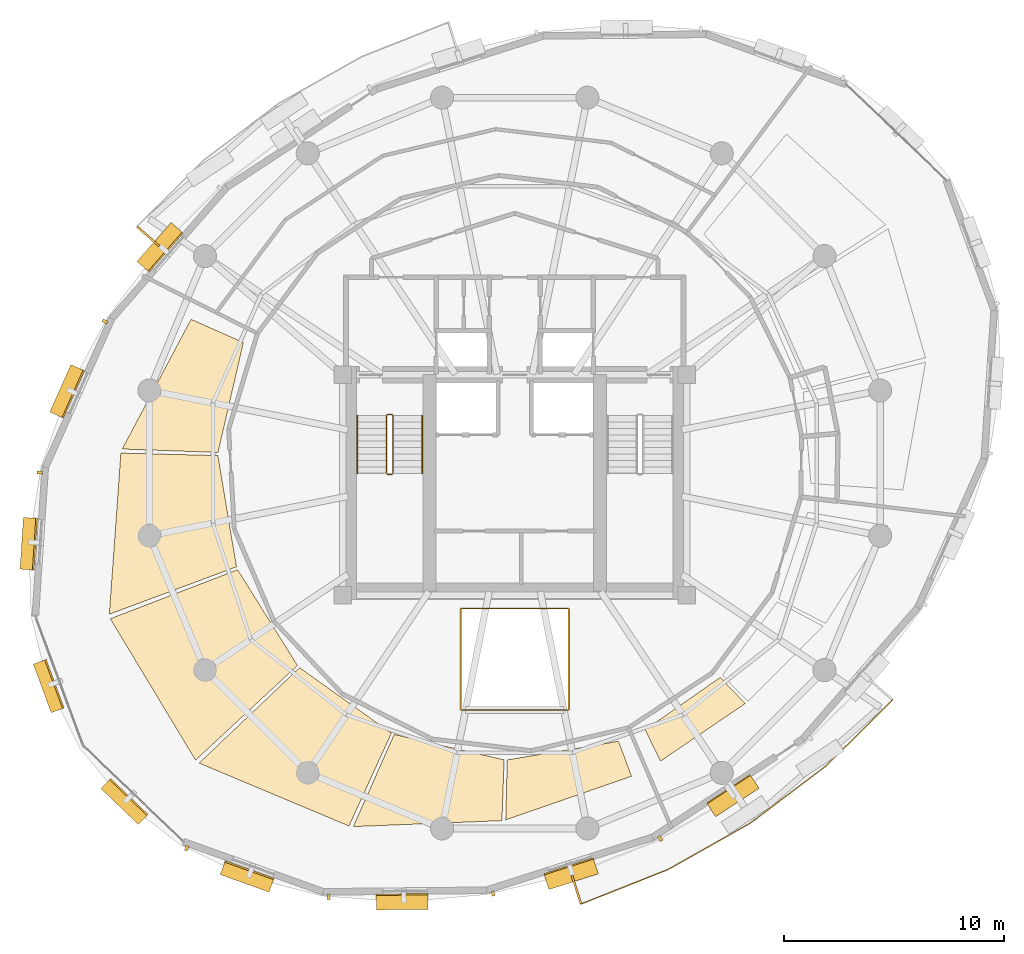
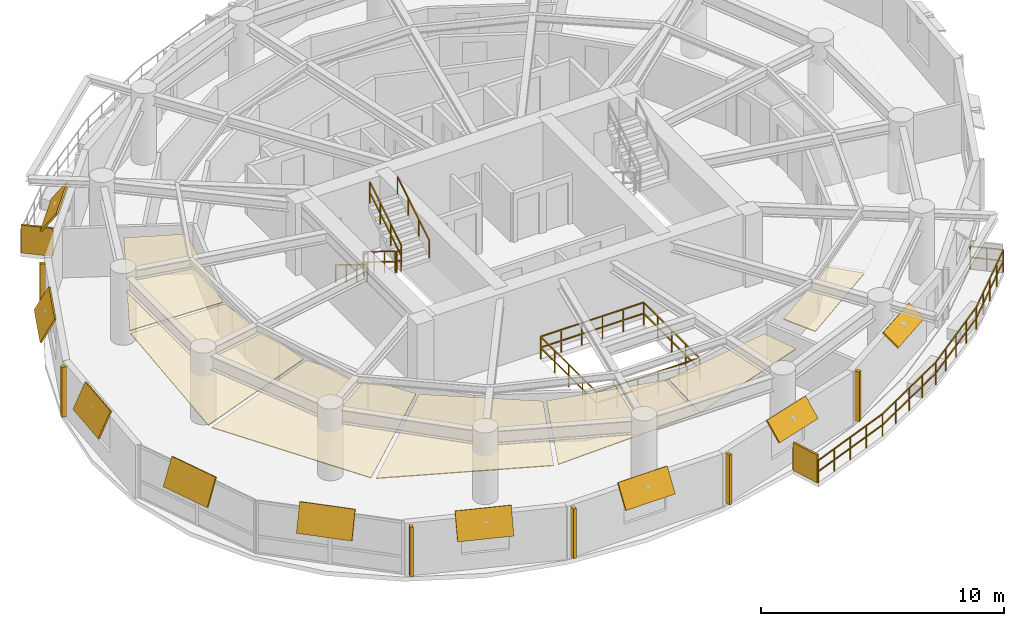
# One storey, part 11 of 12: 17 shading devices, 8 railings, 7 coverings.
"""IFC4 building model written with IfcOpenShell, lengths in metres."""

from ifc_helpers import new_model, si_unit, direction, frame, origin, origin_2d, place, context, subcontext, project, spatial, polyline, rectangle, outline, extrude, material, layer, layer_set, type_object, element, save


model = new_model("IFC4")

# Units and contexts
model_context = context("Model", 3, precision=1e-05, world=origin(), true_north=direction((0.0, 1.0)))
body_context = subcontext(model_context, "Body", "Model", "MODEL_VIEW")
ifc_project = project(units=[si_unit("LENGTHUNIT", "METRE"), si_unit("AREAUNIT", "SQUARE_METRE"), si_unit("VOLUMEUNIT", "CUBIC_METRE"), si_unit("PLANEANGLEUNIT", "RADIAN"), si_unit("MASSUNIT", "GRAM", prefix="KILO"), si_unit("THERMODYNAMICTEMPERATUREUNIT", "KELVIN"), si_unit("POWERUNIT", "WATT")], contexts=[model_context])

# Site, building, storey
site_placement = place(None, origin())
site = spatial("IfcSite", under=ifc_project, at=site_placement, CompositionType="ELEMENT")
building_placement = place(site_placement, origin())
building = spatial("IfcBuilding", under=site, at=building_placement, Name="Ocrelia Relay Tower", CompositionType="ELEMENT")
storey_placement = place(building_placement, frame((0.0, 0.0, 173.60009765625)))
storey = spatial("IfcBuildingStorey", under=building, at=storey_placement, Name="L41", CompositionType="ELEMENT", Elevation=173.60009765625)

# Coverings
ifc_material_1 = material(Name="Mineral-fiber acoustic ceiling tile", Category="gypsum")
ifc_layer_1 = layer(ifc_material_1, 0.0400390625, Name="Mineral-fiber acoustic ceiling tile")
ifc_layer_set_1 = layer_set([ifc_layer_1], Name="Mineral-fiber acoustic ceiling tile")
covering_type = type_object("IfcCoveringType", Name="COV-CEIL-ACOUSTIC", PredefinedType="CEILING", material=ifc_layer_set_1)
covering_1_placement = place(storey_placement, frame((0.0, 0.0, 2.3798828125)))
element("IfcCovering", 1, at=covering_1_placement, inside=storey, type_object=covering_type, Name="L41 Architecture Seminar Room Suspended Ceiling 1", PredefinedType="CEILING", context=body_context, shape_type="SweptSolid", body=[
    extrude(outline(polyline([(21.689697265625, 31.468017578125), (19.316650390625, 32.522216796875), (16.19189453125, 26.637451171875), (20.53857421875, 26.481689453125), (21.689697265625, 31.468017578125)])), origin(), (0.0, 0.0, 1.0), 0.0400390625),
])
covering_2_placement = place(storey_placement, frame((0.0, 0.0, 2.3798828125)))
element("IfcCovering", 2, at=covering_2_placement, inside=storey, type_object=covering_type, Name="L41 Architecture Seminar Room Suspended Ceiling 2", PredefinedType="CEILING", context=body_context, shape_type="SweptSolid", body=[
    extrude(outline(polyline([(20.5341796875, 26.3408203125), (16.1318359375, 26.452392578125), (15.608154296875, 19.141845703125), (21.37890625, 21.293701171875), (20.5341796875, 26.3408203125)])), origin(), (0.0, 0.0, 1.0), 0.0400390625),
])
covering_3_placement = place(storey_placement, frame((0.0, 0.0, 2.3798828125)))
element("IfcCovering", 3, at=covering_3_placement, inside=storey, type_object=covering_type, Name="L41 Architecture Seminar Room Suspended Ceiling 3", PredefinedType="CEILING", context=body_context, shape_type="SweptSolid", body=[
    extrude(outline(polyline([(21.428955078125, 21.161865234375), (15.650634765625, 18.93798828125), (19.52001953125, 12.520751953125), (24.140625, 16.822021484375), (21.428955078125, 21.161865234375)])), origin(), (0.0, 0.0, 1.0), 0.0400390625),
])
covering_4_placement = place(storey_placement, frame((0.0, 0.0, 2.3798828125)))
element("IfcCovering", 4, at=covering_4_placement, inside=storey, type_object=covering_type, Name="L41 Architecture Seminar Room Suspended Ceiling 4", PredefinedType="CEILING", context=body_context, shape_type="SweptSolid", body=[
    extrude(outline(polyline([(24.2373046875, 16.71923828125), (19.681396484375, 12.388427734375), (26.479248046875, 9.535400390625), (28.4033203125, 13.747802734375), (24.2373046875, 16.71923828125)])), origin(), (0.0, 0.0, 1.0), 0.0400390625),
])
covering_5_placement = place(storey_placement, frame((0.0, 0.0, 2.3798828125)))
element("IfcCovering", 5, at=covering_5_placement, inside=storey, type_object=covering_type, Name="L41 Architecture Seminar Room Suspended Ceiling 5", PredefinedType="CEILING", context=body_context, shape_type="SweptSolid", body=[
    extrude(outline(polyline([(28.531982421875, 13.689697265625), (26.67431640625, 9.507568359375), (33.419189453125, 9.77783203125), (33.518310546875, 12.53857421875), (28.531982421875, 13.689697265625)])), origin(), (0.0, 0.0, 1.0), 0.0400390625),
])
covering_6_placement = place(storey_placement, frame((0.0, 0.0, 2.3798828125)))
element("IfcCovering", 6, at=covering_6_placement, inside=storey, type_object=covering_type, Name="L41 Architecture Seminar Room Suspended Ceiling 6", PredefinedType="CEILING", context=body_context, shape_type="SweptSolid", body=[
    extrude(outline(polyline([(33.6591796875, 12.5341796875), (33.59033203125, 9.8134765625), (39.298095703125, 11.7919921875), (38.706298828125, 13.37890625), (33.6591796875, 12.5341796875)])), origin(), (0.0, 0.0, 1.0), 0.0400390625),
])
covering_7_placement = place(storey_placement, frame((0.0, 0.0, 2.3798828125)))
element("IfcCovering", 7, at=covering_7_placement, inside=storey, type_object=covering_type, Name="L41 Shift Staff Lounge Suspended Ceiling 1", PredefinedType="CEILING", context=body_context, shape_type="SweptSolid", body=[
    extrude(outline(polyline([(39.915283203125, 13.8984375), (40.610107421875, 12.477294921875), (44.455810546875, 15.090576171875), (43.3203125, 16.275146484375), (39.915283203125, 13.8984375)])), origin(), (0.0, 0.0, 1.0), 0.0400390625),
])

# Railings
ifc_material_2 = material(Name="Steel S355 balustrade", Category="steel")
railing_type_1 = type_object("IfcRailingType", Name="RL-EXT-GUARD-1150", PredefinedType="GUARDRAIL", material=ifc_material_2)
railing_1_placement = place(storey_placement, frame((50.098388671875, 16.181884765625, 0.0)))
element("IfcRailing", 8, at=railing_1_placement, inside=storey, type_object=railing_type_1, Name="L41 Loggia Balcony Guard Rail B2", PredefinedType="GUARDRAIL", context=body_context, shape_type="SweptSolid", body=[
    extrude(rectangle(XDim=0.048095703125, YDim=0.048095703125, at=origin_2d()), frame((0.0, 0.0, 1.1259765625), z_axis=(0.753563517181, -0.657375102642, 0.0), x_axis=(0.657375102642, 0.753563517181, 0.0)), (0.0, 0.0, 1.0), 1.3935546875),
    extrude(rectangle(XDim=0.048095703125, YDim=0.048095703125, at=origin_2d()), frame((0.0, 0.0, 0.574951171875), z_axis=(0.753563517181, -0.657375102642, 0.0), x_axis=(0.657375102642, 0.753563517181, 0.0)), (0.0, 0.0, 1.0), 1.3935546875),
    extrude(rectangle(XDim=0.048095703125, YDim=0.048095703125, at=origin_2d()), frame((1.050048828125, -0.916015625, 1.1259765625), z_axis=(-0.708769408296, -0.705440235501, 0.0), x_axis=(0.705440235501, -0.708769408296, 0.0)), (0.0, 0.0, 1.0), 2.126708984375),
    extrude(rectangle(XDim=0.048095703125, YDim=0.048095703125, at=origin_2d()), frame((1.050048828125, -0.916015625, 0.574951171875), z_axis=(-0.708769408296, -0.705440235501, 0.0), x_axis=(0.705440235501, -0.708769408296, 0.0)), (0.0, 0.0, 1.0), 2.126708984375),
    extrude(rectangle(XDim=0.048095703125, YDim=0.048095703125, at=origin_2d()), frame((-0.457275390625, -2.416259765625, 1.1259765625), z_axis=(-0.708769408296, -0.705440235501, 0.0), x_axis=(0.705440235501, -0.708769408296, 0.0)), (0.0, 0.0, 1.0), 2.126708984375),
    extrude(rectangle(XDim=0.048095703125, YDim=0.048095703125, at=origin_2d()), frame((-0.457275390625, -2.416259765625, 0.574951171875), z_axis=(-0.708769408296, -0.705440235501, 0.0), x_axis=(0.705440235501, -0.708769408296, 0.0)), (0.0, 0.0, 1.0), 2.126708984375),
    extrude(rectangle(XDim=0.048095703125, YDim=0.048095703125, at=origin_2d()), frame((-1.964599609375, -3.91650390625, 1.1259765625), z_axis=(-0.797738620679, -0.603003393918, 0.0), x_axis=(0.603003393918, -0.797738620679, 0.0)), (0.0, 0.0, 1.0), 4.299072265625),
    extrude(rectangle(XDim=0.048095703125, YDim=0.048095703125, at=origin_2d()), frame((-1.964599609375, -3.91650390625, 0.574951171875), z_axis=(-0.797738620679, -0.603003393918, 0.0), x_axis=(0.603003393918, -0.797738620679, 0.0)), (0.0, 0.0, 1.0), 4.299072265625),
    extrude(rectangle(XDim=0.048095703125, YDim=0.048095703125, at=origin_2d()), frame((-5.39404296875, -6.5087890625, 1.1259765625), z_axis=(-0.871094345099, -0.491115711351, 0.0), x_axis=(0.491115711351, -0.871094345099, 0.0)), (0.0, 0.0, 1.0), 4.299072265625),
    extrude(rectangle(XDim=0.048095703125, YDim=0.048095703125, at=origin_2d()), frame((-5.39404296875, -6.5087890625, 0.574951171875), z_axis=(-0.871094345099, -0.491115711351, 0.0), x_axis=(0.491115711351, -0.871094345099, 0.0)), (0.0, 0.0, 1.0), 4.299072265625),
    extrude(rectangle(XDim=0.048095703125, YDim=0.048095703125, at=origin_2d()), frame((-9.138916015625, -8.6201171875, 1.1259765625), z_axis=(-0.929533810965, -0.368736890307, 0.0), x_axis=(0.368736890307, -0.929533810965, 0.0)), (0.0, 0.0, 1.0), 2.126708984375),
    extrude(rectangle(XDim=0.048095703125, YDim=0.048095703125, at=origin_2d()), frame((-9.138916015625, -8.6201171875, 0.574951171875), z_axis=(-0.929533810965, -0.368736890307, 0.0), x_axis=(0.368736890307, -0.929533810965, 0.0)), (0.0, 0.0, 1.0), 2.126708984375),
    extrude(rectangle(XDim=0.048095703125, YDim=0.048095703125, at=origin_2d()), frame((-11.11572265625, -9.404296875, 1.1259765625), z_axis=(-0.929533810965, -0.368736890307, 0.0), x_axis=(0.368736890307, -0.929533810965, 0.0)), (0.0, 0.0, 1.0), 2.126708984375),
    extrude(rectangle(XDim=0.048095703125, YDim=0.048095703125, at=origin_2d()), frame((-11.11572265625, -9.404296875, 0.574951171875), z_axis=(-0.929533810965, -0.368736890307, 0.0), x_axis=(0.368736890307, -0.929533810965, 0.0)), (0.0, 0.0, 1.0), 2.126708984375),
    extrude(rectangle(XDim=0.048095703125, YDim=0.048095703125, at=origin_2d()), frame((-13.092529296875, -10.1884765625, 1.1259765625), z_axis=(-0.302371980922, 0.953190004749, 0.0), x_axis=(-0.953190004749, -0.302371980922, 0.0)), (0.0, 0.0, 1.0), 1.3935546875),
    extrude(rectangle(XDim=0.048095703125, YDim=0.048095703125, at=origin_2d()), frame((-13.092529296875, -10.1884765625, 0.574951171875), z_axis=(-0.302371980922, 0.953190004749, 0.0), x_axis=(-0.953190004749, -0.302371980922, 0.0)), (0.0, 0.0, 1.0), 1.3935546875),
    extrude(rectangle(XDim=0.0419921875, YDim=0.0419921875, at=origin_2d()), origin(), (0.0, 0.0, 1.0), 1.101806640625),
    extrude(rectangle(XDim=0.0419921875, YDim=0.0419921875, at=origin_2d()), frame((0.52490234375, -0.4580078125, 0.0)), (0.0, 0.0, 1.0), 1.101806640625),
    extrude(rectangle(XDim=0.0419921875, YDim=0.0419921875, at=origin_2d()), frame((1.050048828125, -0.916015625, 0.0)), (0.0, 0.0, 1.0), 1.101806640625),
    extrude(rectangle(XDim=0.0419921875, YDim=0.0419921875, at=origin_2d()), frame((0.29638671875, -1.666015625, 0.0)), (0.0, 0.0, 1.0), 1.101806640625),
    extrude(rectangle(XDim=0.0419921875, YDim=0.0419921875, at=origin_2d()), frame((-0.457275390625, -2.416259765625, 0.0)), (0.0, 0.0, 1.0), 1.101806640625),
    extrude(rectangle(XDim=0.0419921875, YDim=0.0419921875, at=origin_2d()), frame((-1.2109375, -3.16650390625, 0.0)), (0.0, 0.0, 1.0), 1.101806640625),
    extrude(rectangle(XDim=0.0419921875, YDim=0.0419921875, at=origin_2d()), frame((-1.964599609375, -3.91650390625, 0.0)), (0.0, 0.0, 1.0), 1.101806640625),
    extrude(rectangle(XDim=0.0419921875, YDim=0.0419921875, at=origin_2d()), frame((-2.822021484375, -4.564453125, 0.0)), (0.0, 0.0, 1.0), 1.101806640625),
    extrude(rectangle(XDim=0.0419921875, YDim=0.0419921875, at=origin_2d()), frame((-3.67919921875, -5.212646484375, 0.0)), (0.0, 0.0, 1.0), 1.101806640625),
    extrude(rectangle(XDim=0.0419921875, YDim=0.0419921875, at=origin_2d()), frame((-4.53662109375, -5.86083984375, 0.0)), (0.0, 0.0, 1.0), 1.101806640625),
    extrude(rectangle(XDim=0.0419921875, YDim=0.0419921875, at=origin_2d()), frame((-5.39404296875, -6.5087890625, 0.0)), (0.0, 0.0, 1.0), 1.101806640625),
    extrude(rectangle(XDim=0.0419921875, YDim=0.0419921875, at=origin_2d()), frame((-6.330322265625, -7.03662109375, 0.0)), (0.0, 0.0, 1.0), 1.101806640625),
    extrude(rectangle(XDim=0.0419921875, YDim=0.0419921875, at=origin_2d()), frame((-7.2666015625, -7.564453125, 0.0)), (0.0, 0.0, 1.0), 1.101806640625),
    extrude(rectangle(XDim=0.0419921875, YDim=0.0419921875, at=origin_2d()), frame((-8.20263671875, -8.09228515625, 0.0)), (0.0, 0.0, 1.0), 1.101806640625),
    extrude(rectangle(XDim=0.0419921875, YDim=0.0419921875, at=origin_2d()), frame((-9.138916015625, -8.6201171875, 0.0)), (0.0, 0.0, 1.0), 1.101806640625),
    extrude(rectangle(XDim=0.0419921875, YDim=0.0419921875, at=origin_2d()), frame((-10.12744140625, -9.01220703125, 0.0)), (0.0, 0.0, 1.0), 1.101806640625),
    extrude(rectangle(XDim=0.0419921875, YDim=0.0419921875, at=origin_2d()), frame((-11.11572265625, -9.404296875, 0.0)), (0.0, 0.0, 1.0), 1.101806640625),
    extrude(rectangle(XDim=0.0419921875, YDim=0.0419921875, at=origin_2d()), frame((-12.10400390625, -9.79638671875, 0.0)), (0.0, 0.0, 1.0), 1.101806640625),
    extrude(rectangle(XDim=0.0419921875, YDim=0.0419921875, at=origin_2d()), frame((-13.092529296875, -10.1884765625, 0.0)), (0.0, 0.0, 1.0), 1.101806640625),
    extrude(rectangle(XDim=0.0419921875, YDim=0.0419921875, at=origin_2d()), frame((-13.30322265625, -9.5244140625, 0.0)), (0.0, 0.0, 1.0), 1.101806640625),
    extrude(rectangle(XDim=0.0419921875, YDim=0.0419921875, at=origin_2d()), frame((-13.513916015625, -8.860107421875, 0.0)), (0.0, 0.0, 1.0), 1.101806640625),
])
ifc_material_3 = material(Name="Steel S355 atrium balustrade", Category="steel")
railing_type_2 = type_object("IfcRailingType", Name="RL-INT-GUARD-115", PredefinedType="GUARDRAIL", material=ifc_material_3)
railing_2_placement = place(storey_placement, frame((31.550048828125, 14.800048828125, 0.0)))
element("IfcRailing", 9, at=railing_2_placement, inside=storey, type_object=railing_type_2, Name="L41 Multi-Zone Interior Atrium Guard", PredefinedType="GUARDRAIL", context=body_context, shape_type="SweptSolid", body=[
    extrude(rectangle(XDim=0.048095703125, YDim=0.048095703125, at=origin_2d()), frame((0.0, 0.0, 1.1259765625), z_axis=(1.0, 0.0, 0.0), x_axis=(0.0, 1.0, 0.0)), (0.0, 0.0, 1.0), 4.89990234375),
    extrude(rectangle(XDim=0.048095703125, YDim=0.048095703125, at=origin_2d()), frame((0.0, 0.0, 0.574951171875), z_axis=(1.0, 0.0, 0.0), x_axis=(0.0, 1.0, 0.0)), (0.0, 0.0, 1.0), 4.89990234375),
    extrude(rectangle(XDim=0.048095703125, YDim=0.048095703125, at=origin_2d()), frame((4.89990234375, 0.0, 1.1259765625), z_axis=(0.0, 1.0, 0.0), x_axis=(-1.0, 0.0, 0.0)), (0.0, 0.0, 1.0), 4.599853515625),
    extrude(rectangle(XDim=0.048095703125, YDim=0.048095703125, at=origin_2d()), frame((4.89990234375, 0.0, 0.574951171875), z_axis=(0.0, 1.0, 0.0), x_axis=(-1.0, 0.0, 0.0)), (0.0, 0.0, 1.0), 4.599853515625),
    extrude(rectangle(XDim=0.048095703125, YDim=0.048095703125, at=origin_2d()), frame((4.89990234375, 4.599853515625, 1.1259765625), z_axis=(-1.0, 0.0, 0.0), x_axis=(0.0, -1.0, 0.0)), (0.0, 0.0, 1.0), 4.89990234375),
    extrude(rectangle(XDim=0.048095703125, YDim=0.048095703125, at=origin_2d()), frame((4.89990234375, 4.599853515625, 0.574951171875), z_axis=(-1.0, 0.0, 0.0), x_axis=(0.0, -1.0, 0.0)), (0.0, 0.0, 1.0), 4.89990234375),
    extrude(rectangle(XDim=0.048095703125, YDim=0.048095703125, at=origin_2d()), frame((0.0, 4.599853515625, 1.1259765625), z_axis=(0.0, -1.0, 0.0), x_axis=(1.0, 0.0, 0.0)), (0.0, 0.0, 1.0), 4.599853515625),
    extrude(rectangle(XDim=0.048095703125, YDim=0.048095703125, at=origin_2d()), frame((0.0, 4.599853515625, 0.574951171875), z_axis=(0.0, -1.0, 0.0), x_axis=(1.0, 0.0, 0.0)), (0.0, 0.0, 1.0), 4.599853515625),
    extrude(rectangle(XDim=0.0419921875, YDim=0.0419921875, at=origin_2d()), origin(), (0.0, 0.0, 1.0), 1.101806640625),
    extrude(rectangle(XDim=0.0419921875, YDim=0.0419921875, at=origin_2d()), frame((0.97998046875, 0.0, 0.0)), (0.0, 0.0, 1.0), 1.101806640625),
    extrude(rectangle(XDim=0.0419921875, YDim=0.0419921875, at=origin_2d()), frame((1.9599609375, 0.0, 0.0)), (0.0, 0.0, 1.0), 1.101806640625),
    extrude(rectangle(XDim=0.0419921875, YDim=0.0419921875, at=origin_2d()), frame((2.93994140625, 0.0, 0.0)), (0.0, 0.0, 1.0), 1.101806640625),
    extrude(rectangle(XDim=0.0419921875, YDim=0.0419921875, at=origin_2d()), frame((3.919921875, 0.0, 0.0)), (0.0, 0.0, 1.0), 1.101806640625),
    extrude(rectangle(XDim=0.0419921875, YDim=0.0419921875, at=origin_2d()), frame((4.89990234375, 0.0, 0.0)), (0.0, 0.0, 1.0), 1.101806640625),
    extrude(rectangle(XDim=0.0419921875, YDim=0.0419921875, at=origin_2d()), frame((4.89990234375, 1.14990234375, 0.0)), (0.0, 0.0, 1.0), 1.101806640625),
    extrude(rectangle(XDim=0.0419921875, YDim=0.0419921875, at=origin_2d()), frame((4.89990234375, 2.2998046875, 0.0)), (0.0, 0.0, 1.0), 1.101806640625),
    extrude(rectangle(XDim=0.0419921875, YDim=0.0419921875, at=origin_2d()), frame((4.89990234375, 3.449951171875, 0.0)), (0.0, 0.0, 1.0), 1.101806640625),
    extrude(rectangle(XDim=0.0419921875, YDim=0.0419921875, at=origin_2d()), frame((4.89990234375, 4.599853515625, 0.0)), (0.0, 0.0, 1.0), 1.101806640625),
    extrude(rectangle(XDim=0.0419921875, YDim=0.0419921875, at=origin_2d()), frame((3.919921875, 4.599853515625, 0.0)), (0.0, 0.0, 1.0), 1.101806640625),
    extrude(rectangle(XDim=0.0419921875, YDim=0.0419921875, at=origin_2d()), frame((2.93994140625, 4.599853515625, 0.0)), (0.0, 0.0, 1.0), 1.101806640625),
    extrude(rectangle(XDim=0.0419921875, YDim=0.0419921875, at=origin_2d()), frame((1.9599609375, 4.599853515625, 0.0)), (0.0, 0.0, 1.0), 1.101806640625),
    extrude(rectangle(XDim=0.0419921875, YDim=0.0419921875, at=origin_2d()), frame((0.97998046875, 4.599853515625, 0.0)), (0.0, 0.0, 1.0), 1.101806640625),
    extrude(rectangle(XDim=0.0419921875, YDim=0.0419921875, at=origin_2d()), frame((0.0, 4.599853515625, 0.0)), (0.0, 0.0, 1.0), 1.101806640625),
    extrude(rectangle(XDim=0.0419921875, YDim=0.0419921875, at=origin_2d()), frame((0.0, 3.449951171875, 0.0)), (0.0, 0.0, 1.0), 1.101806640625),
    extrude(rectangle(XDim=0.0419921875, YDim=0.0419921875, at=origin_2d()), frame((0.0, 2.2998046875, 0.0)), (0.0, 0.0, 1.0), 1.101806640625),
    extrude(rectangle(XDim=0.0419921875, YDim=0.0419921875, at=origin_2d()), frame((0.0, 1.14990234375, 0.0)), (0.0, 0.0, 1.0), 1.101806640625),
])
railing_type_3 = type_object("IfcRailingType", Name="RL-STAIR-GUARD", PredefinedType="GUARDRAIL", material=ifc_material_2)
railing_3_placement = place(storey_placement, frame((28.179931640625, 28.14990234375, 0.179931640625)))
element("IfcRailing", 10, at=railing_3_placement, inside=storey, type_object=railing_type_3, Name="L41 ST1 stair guard 1", PredefinedType="GUARDRAIL", context=body_context, shape_type="SweptSolid", body=[
    extrude(rectangle(XDim=0.048095703125, YDim=0.048095703125, at=origin_2d()), frame((0.0, 0.0, 1.076171875), z_axis=(0.0, -0.849646306263, 0.527352969322), x_axis=(1.0, 0.0, 0.0)), (0.0, 0.0, 1.0), 3.07177734375),
    extrude(rectangle(XDim=0.048095703125, YDim=0.048095703125, at=origin_2d()), frame((0.0, 0.0, 0.550048828125), z_axis=(0.0, -0.849646306263, 0.527352969322), x_axis=(1.0, 0.0, 0.0)), (0.0, 0.0, 1.0), 3.07177734375),
    extrude(rectangle(XDim=0.0419921875, YDim=0.0419921875, at=origin_2d()), origin(), (0.0, 0.0, 1.0), 1.052001953125),
    extrude(rectangle(XDim=0.0419921875, YDim=0.0419921875, at=origin_2d()), frame((0.0, -0.869873046875, 0.5400390625)), (0.0, 0.0, 1.0), 1.052001953125),
    extrude(rectangle(XDim=0.0419921875, YDim=0.0419921875, at=origin_2d()), frame((0.0, -1.739990234375, 1.079833984375)), (0.0, 0.0, 1.0), 1.052001953125),
    extrude(rectangle(XDim=0.0419921875, YDim=0.0419921875, at=origin_2d()), frame((0.0, -2.60986328125, 1.619873046875)), (0.0, 0.0, 1.0), 1.052001953125),
])
railing_4_placement = place(storey_placement, frame((28.22998046875, 25.489990234375, 1.7998046875)))
element("IfcRailing", 11, at=railing_4_placement, inside=storey, type_object=railing_type_3, Name="L41 ST1 stair guard 2", PredefinedType="GUARDRAIL", context=body_context, shape_type="SweptSolid", body=[
    extrude(rectangle(XDim=0.048095703125, YDim=0.048095703125, at=origin_2d()), frame((0.0, 0.0, 1.076171875), z_axis=(1.0, 0.0, 0.0), x_axis=(0.0, 1.0, 0.0)), (0.0, 0.0, 1.0), 0.199951171875),
    extrude(rectangle(XDim=0.048095703125, YDim=0.048095703125, at=origin_2d()), frame((0.0, 0.0, 0.550048828125), z_axis=(1.0, 0.0, 0.0), x_axis=(0.0, 1.0, 0.0)), (0.0, 0.0, 1.0), 0.199951171875),
    extrude(rectangle(XDim=0.0419921875, YDim=0.0419921875, at=origin_2d()), origin(), (0.0, 0.0, 1.0), 1.052001953125),
    extrude(rectangle(XDim=0.0419921875, YDim=0.0419921875, at=origin_2d()), frame((0.199951171875, 0.0, 0.0)), (0.0, 0.0, 1.0), 1.052001953125),
])
railing_5_placement = place(storey_placement, frame((28.47998046875, 25.5400390625, 1.97998046875)))
element("IfcRailing", 12, at=railing_5_placement, inside=storey, type_object=railing_type_3, Name="L41 ST1 stair guard 3", PredefinedType="GUARDRAIL", context=body_context, shape_type="SweptSolid", body=[
    extrude(rectangle(XDim=0.048095703125, YDim=0.048095703125, at=origin_2d()), frame((0.0, 0.0, 1.076171875), z_axis=(0.0, 0.849646306263, 0.527352969322), x_axis=(-1.0, 0.0, 0.0)), (0.0, 0.0, 1.0), 3.07177734375),
    extrude(rectangle(XDim=0.048095703125, YDim=0.048095703125, at=origin_2d()), frame((0.0, 0.0, 0.550048828125), z_axis=(0.0, 0.849646306263, 0.527352969322), x_axis=(-1.0, 0.0, 0.0)), (0.0, 0.0, 1.0), 3.07177734375),
    extrude(rectangle(XDim=0.0419921875, YDim=0.0419921875, at=origin_2d()), origin(), (0.0, 0.0, 1.0), 1.052001953125),
    extrude(rectangle(XDim=0.0419921875, YDim=0.0419921875, at=origin_2d()), frame((0.0, 0.869873046875, 0.5400390625)), (0.0, 0.0, 1.0), 1.052001953125),
    extrude(rectangle(XDim=0.0419921875, YDim=0.0419921875, at=origin_2d()), frame((0.0, 1.739990234375, 1.079833984375)), (0.0, 0.0, 1.0), 1.052001953125),
    extrude(rectangle(XDim=0.0419921875, YDim=0.0419921875, at=origin_2d()), frame((0.0, 2.60986328125, 1.619873046875)), (0.0, 0.0, 1.0), 1.052001953125),
])
railing_6_placement = place(storey_placement, frame((28.22998046875, 28.199951171875, 0.0)))
element("IfcRailing", 13, at=railing_6_placement, inside=storey, type_object=railing_type_3, Name="L41 ST1 stair guard 4", PredefinedType="GUARDRAIL", context=body_context, shape_type="SweptSolid", body=[
    extrude(rectangle(XDim=0.048095703125, YDim=0.048095703125, at=origin_2d()), frame((0.0, 0.0, 1.076171875), z_axis=(1.0, 0.0, 0.0), x_axis=(0.0, 1.0, 0.0)), (0.0, 0.0, 1.0), 0.199951171875),
    extrude(rectangle(XDim=0.048095703125, YDim=0.048095703125, at=origin_2d()), frame((0.0, 0.0, 0.550048828125), z_axis=(1.0, 0.0, 0.0), x_axis=(0.0, 1.0, 0.0)), (0.0, 0.0, 1.0), 0.199951171875),
    extrude(rectangle(XDim=0.0419921875, YDim=0.0419921875, at=origin_2d()), origin(), (0.0, 0.0, 1.0), 1.052001953125),
    extrude(rectangle(XDim=0.0419921875, YDim=0.0419921875, at=origin_2d()), frame((0.199951171875, 0.0, 0.0)), (0.0, 0.0, 1.0), 1.052001953125),
])
ifc_material_4 = material(Name="Steel S355 tubular handrail", Category="steel")
railing_type_4 = type_object("IfcRailingType", Name="RL-STAIR-HAND", PredefinedType="HANDRAIL", material=ifc_material_4)
railing_7_placement = place(storey_placement, frame((26.860107421875, 28.14990234375, 0.179931640625)))
element("IfcRailing", 14, at=railing_7_placement, inside=storey, type_object=railing_type_4, Name="L41 ST1 stair handrail 1", PredefinedType="HANDRAIL", context=body_context, shape_type="SweptSolid", body=[
    extrude(rectangle(XDim=0.048095703125, YDim=0.048095703125, at=origin_2d()), frame((0.0, 0.0, 0.8759765625), z_axis=(0.0, -0.849646306263, 0.527352969322), x_axis=(1.0, 0.0, 0.0)), (0.0, 0.0, 1.0), 3.07177734375),
    extrude(rectangle(XDim=0.0419921875, YDim=0.0419921875, at=origin_2d()), origin(), (0.0, 0.0, 1.0), 0.851806640625),
    extrude(rectangle(XDim=0.0419921875, YDim=0.0419921875, at=origin_2d()), frame((0.0, -0.869873046875, 0.5400390625)), (0.0, 0.0, 1.0), 0.851806640625),
    extrude(rectangle(XDim=0.0419921875, YDim=0.0419921875, at=origin_2d()), frame((0.0, -1.739990234375, 1.079833984375)), (0.0, 0.0, 1.0), 0.851806640625),
    extrude(rectangle(XDim=0.0419921875, YDim=0.0419921875, at=origin_2d()), frame((0.0, -2.60986328125, 1.619873046875)), (0.0, 0.0, 1.0), 0.851806640625),
])
railing_8_placement = place(storey_placement, frame((29.800048828125, 25.5400390625, 1.97998046875)))
element("IfcRailing", 15, at=railing_8_placement, inside=storey, type_object=railing_type_4, Name="L41 ST1 stair handrail 2", PredefinedType="HANDRAIL", context=body_context, shape_type="SweptSolid", body=[
    extrude(rectangle(XDim=0.048095703125, YDim=0.048095703125, at=origin_2d()), frame((0.0, 0.0, 0.8759765625), z_axis=(0.0, 0.849646306263, 0.527352969322), x_axis=(-1.0, 0.0, 0.0)), (0.0, 0.0, 1.0), 3.07177734375),
    extrude(rectangle(XDim=0.0419921875, YDim=0.0419921875, at=origin_2d()), origin(), (0.0, 0.0, 1.0), 0.851806640625),
    extrude(rectangle(XDim=0.0419921875, YDim=0.0419921875, at=origin_2d()), frame((0.0, 0.869873046875, 0.5400390625)), (0.0, 0.0, 1.0), 0.851806640625),
    extrude(rectangle(XDim=0.0419921875, YDim=0.0419921875, at=origin_2d()), frame((0.0, 1.739990234375, 1.079833984375)), (0.0, 0.0, 1.0), 0.851806640625),
    extrude(rectangle(XDim=0.0419921875, YDim=0.0419921875, at=origin_2d()), frame((0.0, 2.60986328125, 1.619873046875)), (0.0, 0.0, 1.0), 0.851806640625),
])

# Shading devices
ifc_material_5 = material(Name="Perforated oxide terracotta solar screen", Category="masonry")
ifc_layer_2 = layer(ifc_material_5, 0.090087890625, Name="Perforated oxide terracotta solar screen")
ifc_layer_set_2 = layer_set([ifc_layer_2], Name="Perforated oxide terracotta solar screen")
shading_device_type_1 = type_object("IfcShadingDeviceType", Name="SH-BALC-SCREEN", PredefinedType="USERDEFINED", material=ifc_layer_set_2)
for number, where, z_axis, x_axis, name in (
    (16, (17.376708984375, 36.276123046875, 0.0), (0.0, 0.0, 1.0), (-0.753487358119, 0.65746239524, 0.0), "L41 Balcony Perforated Terracotta Screen B1-2"),
    (17, (36.795166015625, 6.65771484375, 0.0), (0.0, 0.0, 1.0), (0.302415625148, -0.95317615878, 0.0), "L41 Balcony Perforated Terracotta Screen B2-1"),
):
    element("IfcShadingDevice", number, at=place(storey_placement, frame(where, z_axis=z_axis, x_axis=x_axis)), inside=storey, type_object=shading_device_type_1, Name=name, ObjectType="SCREEN", PredefinedType="USERDEFINED", context=body_context, shape_type="SweptSolid", body=[
        extrude(rectangle(XDim=1.340087890625, YDim=0.090087890625, at=origin_2d()), origin(), (0.0, 0.0, 1.0), 1.39990234375),
    ])
ifc_material_6 = material(Name="Extruded oxide terracotta vertical baguette", Category="masonry")
shading_device_type_2 = type_object("IfcShadingDeviceType", Name="SH-TERR-BAGUETTE", PredefinedType="USERDEFINED", material=ifc_material_6)
for number, where, z_axis, x_axis, name in (
    (18, (15.407958984375, 32.423583984375, 0.079833984375), (0.0, 0.0, 1.0), (-0.407604143725, -0.913158727724, 0.0), "L41 Oxide Terracotta Vertical Baguette 07"),
    (19, (12.455078125, 25.569580078125, 0.079833984375), (0.0, 0.0, 1.0), (-0.066167712771, -0.997808515591, 0.0), "L41 Oxide Terracotta Vertical Baguette 08"),
    (20, (19.1162109375, 8.5263671875, 0.079833984375), (0.0, 0.0, 1.0), (0.941434270354, -0.337196551885, 0.0), "L41 Oxide Terracotta Vertical Baguette 11"),
    (21, (25.56005859375, 6.32177734375, 0.079833984375), (0.0, 0.0, 1.0), (0.999953158498, 0.009678884741, 0.0), "L41 Oxide Terracotta Vertical Baguette 12"),
    (22, (33.013427734375, 6.474853515625, 0.079833984375), (0.0, 0.0, 1.0), (0.952705845241, 0.303894015149, 0.0), "L41 Oxide Terracotta Vertical Baguette 13"),
    (23, (40.593994140625, 8.96923828125, 0.079833984375), (0.0, 0.0, 1.0), (0.83628895053, 0.548288966898, 0.0), "L41 Oxide Terracotta Vertical Baguette 14"),
):
    element("IfcShadingDevice", number, at=place(storey_placement, frame(where, z_axis=z_axis, x_axis=x_axis)), inside=storey, type_object=shading_device_type_2, Name=name, ObjectType="BAGUETTE", PredefinedType="USERDEFINED", context=body_context, shape_type="SweptSolid", body=[
        extrude(rectangle(XDim=0.139892578125, YDim=0.239990234375, at=origin_2d()), origin(), (0.0, 0.0, 1.0), 2.5),
    ])
ifc_material_7 = material(Name="Extruded oxide terracotta fin", Category="masonry")
ifc_layer_3 = layer(ifc_material_7, 0.080078125, Name="Extruded oxide terracotta fin")
ifc_layer_set_3 = layer_set([ifc_layer_3], Name="Extruded oxide terracotta fin")
shading_device_type_3 = type_object("IfcShadingDeviceType", Name="SH-VISOR-FIN-DEEP", PredefinedType="USERDEFINED", material=ifc_layer_set_3)
shading_device_1_placement = place(storey_placement, frame((17.933837890625, 35.763427734375, 2.477294921875), z_axis=(-0.618747232687, 0.541512741062, 0.569136023557), x_axis=(-0.658579624883, -0.752511048217, 0.0)))
element("IfcShadingDevice", 24, at=shading_device_1_placement, inside=storey, type_object=shading_device_type_3, Name="L41 Canted Terracotta Sun-Visor Fin 06", ObjectType="FIN", PredefinedType="USERDEFINED", context=body_context, shape_type="SweptSolid", body=[
    extrude(rectangle(XDim=2.35009765625, YDim=1.172119140625, at=origin_2d()), origin(), (0.0, 0.0, 1.0), 0.080078125),
])
shading_device_2_placement = place(storey_placement, frame((13.728271484375, 29.239013671875, 2.481201171875), z_axis=(-0.805296531913, 0.359457992756, 0.47147369718), x_axis=(-0.407604143725, -0.913158727724, 0.0)))
element("IfcShadingDevice", 25, at=shading_device_2_placement, inside=storey, type_object=shading_device_type_3, Name="L41 Canted Terracotta Sun-Visor Fin 07", ObjectType="FIN", PredefinedType="USERDEFINED", context=body_context, shape_type="SweptSolid", body=[
    extrude(rectangle(XDim=2.35009765625, YDim=1.281005859375, at=origin_2d()), origin(), (0.0, 0.0, 1.0), 0.080078125),
])
shading_device_3_placement = place(storey_placement, frame((11.987060546875, 22.3388671875, 2.483154296875), z_axis=(-0.905202833478, 0.060026748769, 0.420719169633), x_axis=(-0.066167712771, -0.997808515591, 0.0)))
element("IfcShadingDevice", 26, at=shading_device_3_placement, inside=storey, type_object=shading_device_type_3, Name="L41 Canted Terracotta Sun-Visor Fin 08", ObjectType="FIN", PredefinedType="USERDEFINED", context=body_context, shape_type="SweptSolid", body=[
    extrude(rectangle(XDim=2.35009765625, YDim=1.3349609375, at=origin_2d()), origin(), (0.0, 0.0, 1.0), 0.080078125),
])
shading_device_4_placement = place(storey_placement, frame((12.891845703125, 15.897216796875, 2.483642578125), z_axis=(-0.856971819176, -0.316487921282, 0.406736643076), x_axis=(0.346439160344, -0.938072442928, 0.0)))
element("IfcShadingDevice", 27, at=shading_device_4_placement, inside=storey, type_object=shading_device_type_3, Name="L41 Canted Terracotta Sun-Visor Fin 09", ObjectType="FIN", PredefinedType="USERDEFINED", context=body_context, shape_type="SweptSolid", body=[
    extrude(rectangle(XDim=2.35009765625, YDim=1.35009765625, at=origin_2d()), origin(), (0.0, 0.0, 1.0), 0.080078125),
])
shading_device_5_placement = place(storey_placement, frame((16.3212890625, 10.67333984375, 2.483154296875), z_axis=(-0.627354260278, -0.65489600872, 0.4213524058), x_axis=(0.722128329985, -0.691759116335, 0.0)))
element("IfcShadingDevice", 28, at=shading_device_5_placement, inside=storey, type_object=shading_device_type_3, Name="L41 Canted Terracotta Sun-Visor Fin 10", ObjectType="FIN", PredefinedType="USERDEFINED", context=body_context, shape_type="SweptSolid", body=[
    extrude(rectangle(XDim=2.35009765625, YDim=1.3349609375, at=origin_2d()), origin(), (0.0, 0.0, 1.0), 0.080078125),
])
shading_device_6_placement = place(storey_placement, frame((21.87158203125, 7.28271484375, 2.4814453125), z_axis=(-0.298661032253, -0.833845214045, 0.464223811138), x_axis=(0.941434270354, -0.337196551885, 0.0)))
element("IfcShadingDevice", 29, at=shading_device_6_placement, inside=storey, type_object=shading_device_type_3, Name="L41 Canted Terracotta Sun-Visor Fin 11", ObjectType="FIN", PredefinedType="USERDEFINED", context=body_context, shape_type="SweptSolid", body=[
    extrude(rectangle(XDim=2.35009765625, YDim=1.2890625, at=origin_2d()), origin(), (0.0, 0.0, 1.0), 0.080078125),
])
shading_device_7_placement = place(storey_placement, frame((28.892578125, 6.137451171875, 2.478271484375), z_axis=(0.008138491454, -0.840810739332, 0.541268016402), x_axis=(0.999953158498, 0.009678884741, 0.0)))
element("IfcShadingDevice", 30, at=shading_device_7_placement, inside=storey, type_object=shading_device_type_3, Name="L41 Canted Terracotta Sun-Visor Fin 12", ObjectType="FIN", PredefinedType="USERDEFINED", context=body_context, shape_type="SweptSolid", body=[
    extrude(rectangle(XDim=2.35009765625, YDim=1.2041015625, at=origin_2d()), origin(), (0.0, 0.0, 1.0), 0.080078125),
])
ifc_layer_4 = layer(ifc_material_7, 0.080078125, Name="Extruded oxide terracotta fin")
ifc_layer_set_4 = layer_set([ifc_layer_4], Name="Extruded oxide terracotta fin")
shading_device_type_4 = type_object("IfcShadingDeviceType", Name="SH-VISOR-FIN-MED", PredefinedType="USERDEFINED", material=ifc_layer_set_4)
shading_device_8_placement = place(storey_placement, frame((36.544189453125, 7.3994140625, 2.473876953125), z_axis=(0.229699345609, -0.720106018222, 0.654740813717), x_axis=(0.952705845241, 0.303894015149, 0.0)))
element("IfcShadingDevice", 31, at=shading_device_8_placement, inside=storey, type_object=shading_device_type_4, Name="L41 Canted Terracotta Sun-Visor Fin 13", ObjectType="FIN", PredefinedType="USERDEFINED", context=body_context, shape_type="SweptSolid", body=[
    extrude(rectangle(XDim=2.35009765625, YDim=1.068115234375, at=origin_2d()), origin(), (0.0, 0.0, 1.0), 0.080078125),
])
shading_device_9_placement = place(storey_placement, frame((43.87646484375, 10.935791015625, 2.46875), z_axis=(0.341767067441, -0.521287203303, 0.781955832056), x_axis=(0.83628895053, 0.548288966898, 0.0)))
element("IfcShadingDevice", 32, at=shading_device_9_placement, inside=storey, type_object=shading_device_type_4, Name="L41 Canted Terracotta Sun-Visor Fin 14", ObjectType="FIN", PredefinedType="USERDEFINED", context=body_context, shape_type="SweptSolid", body=[
    extrude(rectangle(XDim=2.35009765625, YDim=0.89306640625, at=origin_2d()), origin(), (0.0, 0.0, 1.0), 0.080078125),
])

save(model, "model.ifc")
